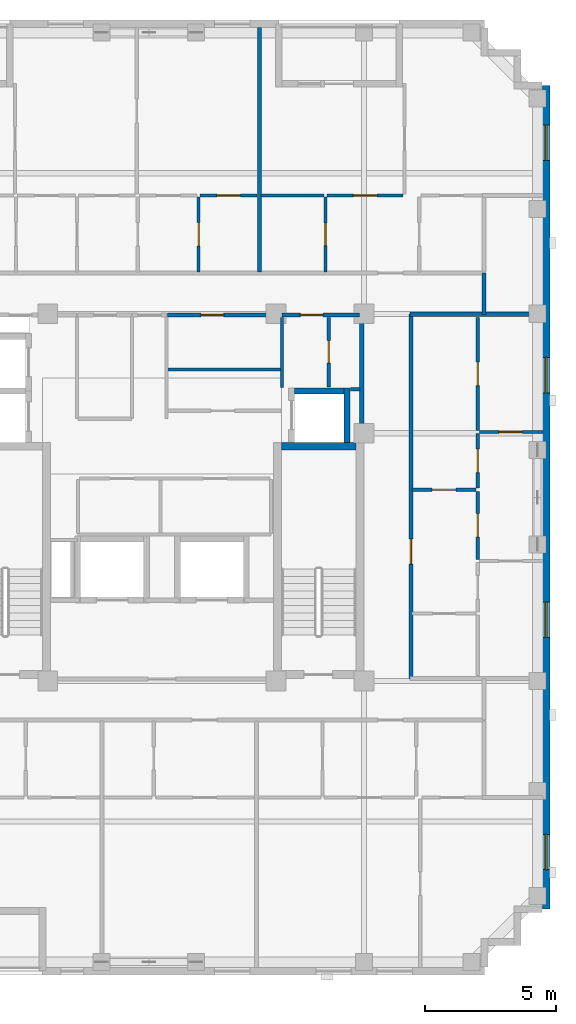
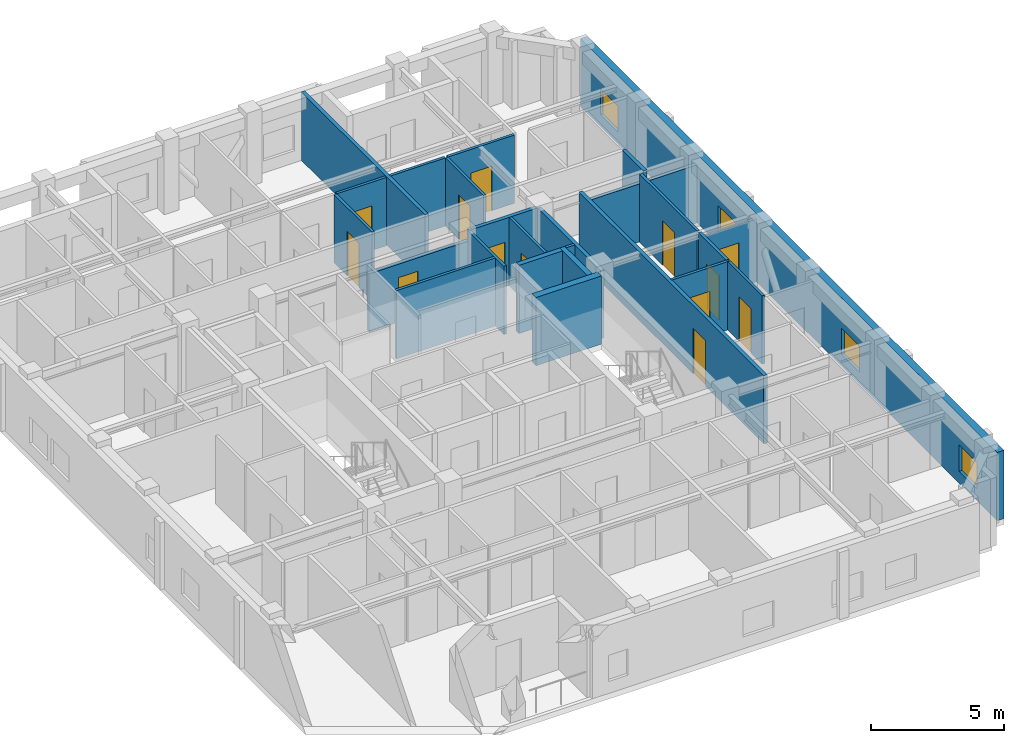
# One storey, part 6 of 11: 25 walls, 13 doors, 4 windows, 17 openings.
"""IFC4 building model written with IfcOpenShell, lengths in metres."""

from ifc_helpers import new_model, si_unit, derived_unit, direction, frame, frame_2d, origin, place, context, subcontext, project, spatial, rectangle, extrude, material, layer, layer_set, type_object, element, fill, save


model = new_model("IFC4")

# Units and contexts
model_context = context("Model", 3, precision=1e-05, world=origin(), true_north=direction((0.0, 1.0)))
body_context = subcontext(model_context, "Body", "Model", "MODEL_VIEW")
ifc_project = project(units=[si_unit("LENGTHUNIT", "METRE"), si_unit("AREAUNIT", "SQUARE_METRE"), si_unit("VOLUMEUNIT", "CUBIC_METRE"), si_unit("PLANEANGLEUNIT", "RADIAN"), si_unit("MASSUNIT", "GRAM", prefix="KILO"), derived_unit("THERMALTRANSMITTANCEUNIT", [(si_unit("MASSUNIT", "GRAM", prefix="KILO"), 1), (si_unit("TIMEUNIT", "SECOND"), -3), (si_unit("THERMODYNAMICTEMPERATUREUNIT", "KELVIN"), -1)])], contexts=[model_context])

# Site, building, storey
site_placement = place(None, origin())
site = spatial("IfcSite", under=ifc_project, at=site_placement, CompositionType="ELEMENT")
building_placement = place(site_placement, origin())
building = spatial("IfcBuilding", under=site, at=building_placement, Name="Korrvale Station Residences", CompositionType="ELEMENT")
storey_placement = place(building_placement, frame((0.0, 0.0, 251.300048828125)))
storey = spatial("IfcBuildingStorey", under=building, at=storey_placement, Name="L73", CompositionType="ELEMENT", Elevation=251.300048828125)

# Wall
ifc_material_1 = material(Name="Concrete C50/60", Category="concrete")
ifc_layer_1 = layer(ifc_material_1, 0.300048828125, Name="Concrete C50/60")
ifc_layer_set_1 = layer_set([ifc_layer_1], Name="Concrete C50/60")
wall_type_1 = type_object("IfcWallType", Name="WAL-CORE-300-C50", PredefinedType="SHEAR", material=ifc_layer_set_1)
wall_1_placement = place(storey_placement, frame((30.050048828125, 23.949951171875, 0.0), z_axis=(0.0, 0.0, 1.0), x_axis=(1.0, 0.0, 0.0)))
element("IfcWall", 1, at=wall_1_placement, inside=storey, type_object=wall_type_1, Name="L73 ST-2 Core Shear Wall North", PredefinedType="SHEAR", context=body_context, shape_type="SweptSolid", body=[
    extrude(rectangle(XDim=2.849853515625, YDim=0.300048828125, at=frame_2d((1.4248046875, 0.0))), origin(), (0.0, 0.0, 1.0), 3.139892578125),
])

# Wall, openings, windows
ifc_material_2 = material(Name="Precast concrete C45/55", Category="concrete")
ifc_layer_2 = layer(ifc_material_2, 0.300048828125, Name="Precast concrete C45/55")
ifc_layer_set_2 = layer_set([ifc_layer_2], Name="Precast concrete C45/55")
wall_type_2 = type_object("IfcWallType", Name="WAL-EXT-PC300", PredefinedType="SOLIDWALL", material=ifc_layer_set_2)
wall_2_placement = place(storey_placement, frame((40.14990234375, 37.699951171875, 0.0), z_axis=(0.0, 0.0, 1.0), x_axis=(0.0, -1.0, 0.0)))
wall_2 = element("IfcWall", 2, at=wall_2_placement, inside=storey, type_object=wall_type_2, Name="L73 East Exterior Precast Wall 1", PredefinedType="SOLIDWALL", context=body_context, shape_type="SweptSolid", body=[
    extrude(rectangle(XDim=31.39990234375, YDim=0.300048828125, at=frame_2d((15.699951171875, 0.0))), origin(), (0.0, 0.0, 1.0), 3.139892578125),
])
opening_1_placement = place(wall_2_placement, frame((28.5458984375, 0.0, 0.550048828125)))
opening_1 = element("IfcOpeningElement", 3, at=opening_1_placement, cuts=wall_2, Name="Opening W-10", PredefinedType="OPENING", context=body_context, shape_type="SweptSolid", body=[
    extrude(rectangle(XDim=1.35009765625, YDim=1.199951171875, at=frame_2d((0.675048828125, 0.60009765625))), frame((0.0, 0.16015625, 0.0), z_axis=(0.0, -1.0, 0.0), x_axis=(1.0, 0.0, 0.0)), (0.0, 0.0, 1.0), 0.320068359375),
])
opening_2_placement = place(wall_2_placement, frame((1.50390625, 0.0, 0.550048828125)))
opening_2 = element("IfcOpeningElement", 4, at=opening_2_placement, cuts=wall_2, Name="Opening W-10", PredefinedType="OPENING", context=body_context, shape_type="SweptSolid", body=[
    extrude(rectangle(XDim=1.35009765625, YDim=1.199951171875, at=frame_2d((0.675048828125, 0.60009765625))), frame((0.0, 0.16015625, 0.0), z_axis=(0.0, -1.0, 0.0), x_axis=(1.0, 0.0, 0.0)), (0.0, 0.0, 1.0), 0.320068359375),
])
opening_3_placement = place(wall_2_placement, frame((19.68310546875, 0.0, 0.550048828125)))
opening_3 = element("IfcOpeningElement", 5, at=opening_3_placement, cuts=wall_2, Name="Opening W-10", PredefinedType="OPENING", context=body_context, shape_type="SweptSolid", body=[
    extrude(rectangle(XDim=1.35009765625, YDim=1.199951171875, at=frame_2d((0.675048828125, 0.60009765625))), frame((0.0, 0.16015625, 0.0), z_axis=(0.0, -1.0, 0.0), x_axis=(1.0, 0.0, 0.0)), (0.0, 0.0, 1.0), 0.320068359375),
])
opening_4_placement = place(wall_2_placement, frame((10.366943359375, 0.0, 0.550048828125)))
opening_4 = element("IfcOpeningElement", 6, at=opening_4_placement, cuts=wall_2, Name="Opening W-10", PredefinedType="OPENING", context=body_context, shape_type="SweptSolid", body=[
    extrude(rectangle(XDim=1.35009765625, YDim=1.199951171875, at=frame_2d((0.675048828125, 0.60009765625))), frame((0.0, 0.16015625, 0.0), z_axis=(0.0, -1.0, 0.0), x_axis=(1.0, 0.0, 0.0)), (0.0, 0.0, 1.0), 0.320068359375),
])
ifc_material_3 = material(Name="Thermally broken aluminium frame with triple low-e glazing", Category="aluminium")
window_type = type_object("IfcWindowType", Name="WIN-W10", PartitioningType="SINGLE_PANEL", PredefinedType="WINDOW", material=ifc_material_3)
window_1_placement = place(opening_1_placement, origin())
window_1 = element("IfcWindow", 7, at=window_1_placement, inside=storey, type_object=window_type, Name="L73 Punched Window 05", OverallHeight=1.199951171875, OverallWidth=1.35009765625, PartitioningType="SINGLE_PANEL", PredefinedType="WINDOW", context=body_context, shape_type="SweptSolid", body=[
    extrude(rectangle(XDim=1.35009765625, YDim=1.199951171875, at=frame_2d((0.675048828125, 0.60009765625))), frame((0.0, 0.030029296875, 0.0), z_axis=(0.0, -1.0, 0.0), x_axis=(1.0, 0.0, 0.0)), (0.0, 0.0, 1.0), 0.06005859375),
])
fill(opening_1, window_1)
window_2_placement = place(opening_2_placement, origin())
window_2 = element("IfcWindow", 8, at=window_2_placement, inside=storey, type_object=window_type, Name="L73 Punched Window 11", OverallHeight=1.199951171875, OverallWidth=1.35009765625, PartitioningType="SINGLE_PANEL", PredefinedType="WINDOW", context=body_context, shape_type="SweptSolid", body=[
    extrude(rectangle(XDim=1.35009765625, YDim=1.199951171875, at=frame_2d((0.675048828125, 0.60009765625))), frame((0.0, 0.030029296875, 0.0), z_axis=(0.0, -1.0, 0.0), x_axis=(1.0, 0.0, 0.0)), (0.0, 0.0, 1.0), 0.06005859375),
])
fill(opening_2, window_2)
window_3_placement = place(opening_3_placement, origin())
window_3 = element("IfcWindow", 9, at=window_3_placement, inside=storey, type_object=window_type, Name="L73 Punched Window 16", OverallHeight=1.199951171875, OverallWidth=1.35009765625, PartitioningType="SINGLE_PANEL", PredefinedType="WINDOW", context=body_context, shape_type="SweptSolid", body=[
    extrude(rectangle(XDim=1.35009765625, YDim=1.199951171875, at=frame_2d((0.675048828125, 0.60009765625))), frame((0.0, 0.030029296875, 0.0), z_axis=(0.0, -1.0, 0.0), x_axis=(1.0, 0.0, 0.0)), (0.0, 0.0, 1.0), 0.06005859375),
])
fill(opening_3, window_3)
window_4_placement = place(opening_4_placement, origin())
window_4 = element("IfcWindow", 10, at=window_4_placement, inside=storey, type_object=window_type, Name="L73 Punched Window 17", OverallHeight=1.199951171875, OverallWidth=1.35009765625, PartitioningType="SINGLE_PANEL", PredefinedType="WINDOW", context=body_context, shape_type="SweptSolid", body=[
    extrude(rectangle(XDim=1.35009765625, YDim=1.199951171875, at=frame_2d((0.675048828125, 0.60009765625))), frame((0.0, 0.030029296875, 0.0), z_axis=(0.0, -1.0, 0.0), x_axis=(1.0, 0.0, 0.0)), (0.0, 0.0, 1.0), 0.06005859375),
])
fill(opening_4, window_4)

# Walls
ifc_material_4 = material(Name="Acoustic steel-stud gypsum board partition", Category="steel")
ifc_layer_3 = layer(ifc_material_4, 0.1201171875, Name="Acoustic steel-stud gypsum board partition")
ifc_layer_set_3 = layer_set([ifc_layer_3], Name="Acoustic steel-stud gypsum board partition")
wall_type_3 = type_object("IfcWallType", Name="WAL-PART-125", PredefinedType="PARTITIONING", material=ifc_layer_set_3)
wall_3_placement = place(storey_placement, frame((30.080078125, 26.179931640625, 0.0), z_axis=(0.0, 0.0, 1.0), x_axis=(0.0, 1.0, 0.0)))
element("IfcWall", 11, at=wall_3_placement, inside=storey, type_object=wall_type_3, Name="L73 Core Partition CW-CS-W", PredefinedType="PARTITIONING", context=body_context, shape_type="SweptSolid", body=[
    extrude(rectangle(XDim=2.68017578125, YDim=0.1201171875, at=frame_2d((1.340087890625, 0.0))), origin(), (0.0, 0.0, 1.0), 3.139892578125),
])
wall_4_placement = place(storey_placement, frame((32.679931640625, 26.1201171875, 0.0), z_axis=(0.0, 0.0, 1.0), x_axis=(1.0, 0.0, 0.0)))
element("IfcWall", 12, at=wall_4_placement, inside=storey, type_object=wall_type_3, Name="L73 Core Partition CW-CS-S", PredefinedType="PARTITIONING", context=body_context, shape_type="SweptSolid", body=[
    extrude(rectangle(XDim=0.380126953125, YDim=0.1201171875, at=frame_2d((0.18994140625, 0.0))), origin(), (0.0, 0.0, 1.0), 3.139892578125),
])

# Wall, opening, door
wall_5_placement = place(storey_placement, frame((31.860107421875, 26.199951171875, 0.0), z_axis=(0.0, 0.0, 1.0), x_axis=(0.0, 1.0, 0.0)))
wall_5 = element("IfcWall", 13, at=wall_5_placement, inside=storey, type_object=wall_type_3, Name="L73 Core Partition CW-CS-MID", PredefinedType="PARTITIONING", context=body_context, shape_type="SweptSolid", body=[
    extrude(rectangle(XDim=2.66015625, YDim=0.1201171875, at=frame_2d((1.330078125, 0.0))), origin(), (0.0, 0.0, 1.0), 3.139892578125),
])
opening_5_placement = place(wall_5_placement, frame((0.919921875, 0.0, 0.0)))
opening_5 = element("IfcOpeningElement", 14, at=opening_5_placement, cuts=wall_5, Name="Opening DB-860", PredefinedType="OPENING", context=body_context, shape_type="SweptSolid", body=[
    extrude(rectangle(XDim=0.860107421875, YDim=2.050048828125, at=frame_2d((0.43017578125, 1.02490234375))), frame((0.0, 0.070068359375, 0.0), z_axis=(0.0, -1.0, 0.0), x_axis=(1.0, 0.0, 0.0)), (0.0, 0.0, 1.0), 0.14013671875),
])
ifc_material_5 = material(Name="Moisture-resistant solid-core bathroom door", Category="timber")
door_type_1 = type_object("IfcDoorType", Name="DR-BATH-860", OperationType="NOTDEFINED", PredefinedType="DOOR", material=ifc_material_5)
door_1_placement = place(opening_5_placement, origin())
door_1 = element("IfcDoor", 15, at=door_1_placement, inside=storey, type_object=door_type_1, Name="L73 Metering Inner Door", OperationType="SINGLE_SWING_RIGHT", OverallHeight=2.050048828125, OverallWidth=0.860107421875, PredefinedType="DOOR", context=body_context, shape_type="SweptSolid", body=[
    extrude(rectangle(XDim=0.860107421875, YDim=2.050048828125, at=frame_2d((0.43017578125, 1.02490234375))), frame((0.0, 0.02490234375, 0.0), z_axis=(0.0, -1.0, 0.0), x_axis=(1.0, 0.0, 0.0)), (0.0, 0.0, 1.0), 0.050048828125),
])
fill(opening_5, door_1)

# Wall
wall_6_placement = place(storey_placement, frame((25.719970703125, 26.8798828125, 0.0), z_axis=(0.0, 0.0, 1.0), x_axis=(1.0, 0.0, 0.0)))
element("IfcWall", 16, at=wall_6_placement, inside=storey, type_object=wall_type_3, Name="L73 Core Partition CW-FPLE-H", PredefinedType="PARTITIONING", context=body_context, shape_type="SweptSolid", body=[
    extrude(rectangle(XDim=4.320068359375, YDim=0.1201171875, at=frame_2d((2.16015625, 0.0))), origin(), (0.0, 0.0, 1.0), 3.139892578125),
])

# Wall, opening, door
wall_7_placement = place(storey_placement, frame((26.89990234375, 30.60009765625, 0.0), z_axis=(0.0, 0.0, 1.0), x_axis=(0.0, 1.0, 0.0)))
wall_7 = element("IfcWall", 17, at=wall_7_placement, inside=storey, type_object=wall_type_3, Name="L73 Suite Partition U04-V45", PredefinedType="PARTITIONING", context=body_context, shape_type="SweptSolid", body=[
    extrude(rectangle(XDim=2.849853515625, YDim=0.1201171875, at=frame_2d((1.4248046875, 0.0))), origin(), (0.0, 0.0, 1.0), 3.139892578125),
])
opening_6_placement = place(wall_7_placement, frame((0.97509765625, 0.0, 0.0)))
opening_6 = element("IfcOpeningElement", 18, at=opening_6_placement, cuts=wall_7, Name="Opening DI-900", PredefinedType="OPENING", context=body_context, shape_type="SweptSolid", body=[
    extrude(rectangle(XDim=0.89990234375, YDim=2.050048828125, at=frame_2d((0.449951171875, 1.02490234375))), frame((0.0, 0.070068359375, 0.0), z_axis=(0.0, -1.0, 0.0), x_axis=(1.0, 0.0, 0.0)), (0.0, 0.0, 1.0), 0.14013671875),
])
ifc_material_6 = material(Name="Painted solid-core timber interior room door", Category="wood")
door_type_2 = type_object("IfcDoorType", Name="DR-INT-900", OperationType="NOTDEFINED", PredefinedType="DOOR", material=ifc_material_6)
door_2_placement = place(opening_6_placement, origin())
door_2 = element("IfcDoor", 19, at=door_2_placement, inside=storey, type_object=door_type_2, Name="L73 Apartment 2BR L73-U04 Wardrobe Storage Room Door", OperationType="SINGLE_SWING_LEFT", OverallHeight=2.050048828125, OverallWidth=0.89990234375, PredefinedType="DOOR", context=body_context, shape_type="SweptSolid", body=[
    extrude(rectangle(XDim=0.89990234375, YDim=2.050048828125, at=frame_2d((0.449951171875, 1.02490234375))), frame((0.0, 0.02490234375, 0.0), z_axis=(0.0, -1.0, 0.0), x_axis=(1.0, 0.0, 0.0)), (0.0, 0.0, 1.0), 0.050048828125),
])
fill(opening_6, door_2)

wall_8_placement = place(storey_placement, frame((26.9599609375, 33.510009765625, 0.0), z_axis=(0.0, 0.0, 1.0), x_axis=(1.0, 0.0, 0.0)))
wall_8 = element("IfcWall", 20, at=wall_8_placement, inside=storey, type_object=wall_type_3, Name="L73 Suite Partition U04-H59", PredefinedType="PARTITIONING", context=body_context, shape_type="SweptSolid", body=[
    extrude(rectangle(XDim=2.16015625, YDim=0.1201171875, at=frame_2d((1.080078125, 0.0))), origin(), (0.0, 0.0, 1.0), 3.139892578125),
])
opening_7_placement = place(wall_8_placement, frame((0.6298828125, 0.0, 0.0)))
opening_7 = element("IfcOpeningElement", 21, at=opening_7_placement, cuts=wall_8, Name="Opening DI-900", PredefinedType="OPENING", context=body_context, shape_type="SweptSolid", body=[
    extrude(rectangle(XDim=0.89990234375, YDim=2.050048828125, at=frame_2d((0.449951171875, 1.02490234375))), frame((0.0, 0.070068359375, 0.0), z_axis=(0.0, -1.0, 0.0), x_axis=(1.0, 0.0, 0.0)), (0.0, 0.0, 1.0), 0.14013671875),
])
door_3_placement = place(opening_7_placement, origin())
door_3 = element("IfcDoor", 22, at=door_3_placement, inside=storey, type_object=door_type_2, Name="L73 Apartment 2BR L73-U04 Utility and Laundry Room Door", OperationType="SINGLE_SWING_LEFT", OverallHeight=2.050048828125, OverallWidth=0.89990234375, PredefinedType="DOOR", context=body_context, shape_type="SweptSolid", body=[
    extrude(rectangle(XDim=0.89990234375, YDim=2.050048828125, at=frame_2d((0.449951171875, 1.02490234375))), frame((0.0, 0.02490234375, 0.0), z_axis=(0.0, -1.0, 0.0), x_axis=(1.0, 0.0, 0.0)), (0.0, 0.0, 1.0), 0.050048828125),
])
fill(opening_7, door_3)

wall_9_placement = place(storey_placement, frame((31.739990234375, 30.60009765625, 0.0), z_axis=(0.0, 0.0, 1.0), x_axis=(0.0, 1.0, 0.0)))
wall_9 = element("IfcWall", 23, at=wall_9_placement, inside=storey, type_object=wall_type_3, Name="L73 Suite Partition U05-V01", PredefinedType="PARTITIONING", context=body_context, shape_type="SweptSolid", body=[
    extrude(rectangle(XDim=2.849853515625, YDim=0.1201171875, at=frame_2d((1.4248046875, 0.0))), origin(), (0.0, 0.0, 1.0), 3.139892578125),
])
opening_8_placement = place(wall_9_placement, frame((0.9951171875, 0.0, 0.0)))
opening_8 = element("IfcOpeningElement", 24, at=opening_8_placement, cuts=wall_9, Name="Opening DB-860", PredefinedType="OPENING", context=body_context, shape_type="SweptSolid", body=[
    extrude(rectangle(XDim=0.860107421875, YDim=2.050048828125, at=frame_2d((0.43017578125, 1.02490234375))), frame((0.0, 0.070068359375, 0.0), z_axis=(0.0, -1.0, 0.0), x_axis=(1.0, 0.0, 0.0)), (0.0, 0.0, 1.0), 0.14013671875),
])
door_4_placement = place(opening_8_placement, origin())
door_4 = element("IfcDoor", 25, at=door_4_placement, inside=storey, type_object=door_type_1, Name="L73 Apartment 1BR L73-U05 Bathroom Door", OperationType="SINGLE_SWING_LEFT", OverallHeight=2.050048828125, OverallWidth=0.860107421875, PredefinedType="DOOR", context=body_context, shape_type="SweptSolid", body=[
    extrude(rectangle(XDim=0.860107421875, YDim=2.050048828125, at=frame_2d((0.43017578125, 1.02490234375))), frame((0.0, 0.02490234375, 0.0), z_axis=(0.0, -1.0, 0.0), x_axis=(1.0, 0.0, 0.0)), (0.0, 0.0, 1.0), 0.050048828125),
])
fill(opening_8, door_4)

# Wall
wall_10_placement = place(storey_placement, frame((29.280029296875, 33.510009765625, 0.0), z_axis=(0.0, 0.0, 1.0), x_axis=(1.0, 0.0, 0.0)))
element("IfcWall", 26, at=wall_10_placement, inside=storey, type_object=wall_type_3, Name="L73 Suite Partition U05-H03", PredefinedType="PARTITIONING", context=body_context, shape_type="SweptSolid", body=[
    extrude(rectangle(XDim=2.39990234375, YDim=0.1201171875, at=frame_2d((1.199951171875, 0.0))), origin(), (0.0, 0.0, 1.0), 3.139892578125),
])

# Wall, opening, door
wall_11_placement = place(storey_placement, frame((31.800048828125, 33.510009765625, 0.0), z_axis=(0.0, 0.0, 1.0), x_axis=(1.0, 0.0, 0.0)))
wall_11 = element("IfcWall", 27, at=wall_11_placement, inside=storey, type_object=wall_type_3, Name="L73 Suite Partition U05-H13", PredefinedType="PARTITIONING", context=body_context, shape_type="SweptSolid", body=[
    extrude(rectangle(XDim=2.889892578125, YDim=0.1201171875, at=frame_2d((1.44482421875, 0.0))), origin(), (0.0, 0.0, 1.0), 3.139892578125),
])
opening_9_placement = place(wall_11_placement, frame((0.9951171875, 0.0, 0.0)))
opening_9 = element("IfcOpeningElement", 28, at=opening_9_placement, cuts=wall_11, Name="Opening DI-900", PredefinedType="OPENING", context=body_context, shape_type="SweptSolid", body=[
    extrude(rectangle(XDim=0.89990234375, YDim=2.050048828125, at=frame_2d((0.449951171875, 1.02490234375))), frame((0.0, 0.070068359375, 0.0), z_axis=(0.0, -1.0, 0.0), x_axis=(1.0, 0.0, 0.0)), (0.0, 0.0, 1.0), 0.14013671875),
])
door_5_placement = place(opening_9_placement, origin())
door_5 = element("IfcDoor", 29, at=door_5_placement, inside=storey, type_object=door_type_2, Name="L73 Apartment 1BR L73-U05 Kitchen Door", OperationType="SINGLE_SWING_LEFT", OverallHeight=2.050048828125, OverallWidth=0.89990234375, PredefinedType="DOOR", context=body_context, shape_type="SweptSolid", body=[
    extrude(rectangle(XDim=0.89990234375, YDim=2.050048828125, at=frame_2d((0.449951171875, 1.02490234375))), frame((0.0, 0.02490234375, 0.0), z_axis=(0.0, -1.0, 0.0), x_axis=(1.0, 0.0, 0.0)), (0.0, 0.0, 1.0), 0.050048828125),
])
fill(opening_9, door_5)

wall_12_placement = place(storey_placement, frame((35.030029296875, 22.2900390625, 0.0), z_axis=(0.0, 0.0, 1.0), x_axis=(1.0, 0.0, 0.0)))
wall_12 = element("IfcWall", 30, at=wall_12_placement, inside=storey, type_object=wall_type_3, Name="L73 Suite Partition U08-H02", PredefinedType="PARTITIONING", context=body_context, shape_type="SweptSolid", body=[
    extrude(rectangle(XDim=2.449951171875, YDim=0.1201171875, at=frame_2d((1.22509765625, 0.0))), origin(), (0.0, 0.0, 1.0), 3.139892578125),
])
opening_10_placement = place(wall_12_placement, frame((0.77490234375, 0.0, 0.0)))
opening_10 = element("IfcOpeningElement", 31, at=opening_10_placement, cuts=wall_12, Name="Opening DI-900", PredefinedType="OPENING", context=body_context, shape_type="SweptSolid", body=[
    extrude(rectangle(XDim=0.89990234375, YDim=2.050048828125, at=frame_2d((0.449951171875, 1.02490234375))), frame((0.0, 0.070068359375, 0.0), z_axis=(0.0, -1.0, 0.0), x_axis=(1.0, 0.0, 0.0)), (0.0, 0.0, 1.0), 0.14013671875),
])
door_6_placement = place(opening_10_placement, origin())
door_6 = element("IfcDoor", 32, at=door_6_placement, inside=storey, type_object=door_type_2, Name="L73 Apartment 2BR L73-U08 Wardrobe Storage Room Door", OperationType="SINGLE_SWING_RIGHT", OverallHeight=2.050048828125, OverallWidth=0.89990234375, PredefinedType="DOOR", context=body_context, shape_type="SweptSolid", body=[
    extrude(rectangle(XDim=0.89990234375, YDim=2.050048828125, at=frame_2d((0.449951171875, 1.02490234375))), frame((0.0, 0.02490234375, 0.0), z_axis=(0.0, -1.0, 0.0), x_axis=(1.0, 0.0, 0.0)), (0.0, 0.0, 1.0), 0.050048828125),
])
fill(opening_10, door_6)

wall_13_placement = place(storey_placement, frame((37.5400390625, 22.35009765625, 0.0), z_axis=(0.0, 0.0, 1.0), x_axis=(0.0, 1.0, 0.0)))
wall_13 = element("IfcWall", 33, at=wall_13_placement, inside=storey, type_object=wall_type_3, Name="L73 Suite Partition U08-V04", PredefinedType="PARTITIONING", context=body_context, shape_type="SweptSolid", body=[
    extrude(rectangle(XDim=2.081787109375, YDim=0.1201171875, at=frame_2d((1.041015625, 0.0))), origin(), (0.0, 0.0, 1.0), 3.139892578125),
])
opening_11_placement = place(wall_13_placement, frame((0.591064453125, 0.0, 0.0)))
opening_11 = element("IfcOpeningElement", 34, at=opening_11_placement, cuts=wall_13, Name="Opening DI-900", PredefinedType="OPENING", context=body_context, shape_type="SweptSolid", body=[
    extrude(rectangle(XDim=0.89990234375, YDim=2.050048828125, at=frame_2d((0.449951171875, 1.02490234375))), frame((0.0, 0.070068359375, 0.0), z_axis=(0.0, -1.0, 0.0), x_axis=(1.0, 0.0, 0.0)), (0.0, 0.0, 1.0), 0.14013671875),
])
door_7_placement = place(opening_11_placement, origin())
door_7 = element("IfcDoor", 35, at=door_7_placement, inside=storey, type_object=door_type_2, Name="L73 Apartment 2BR L73-U08 Wardrobe Storage Room Door", OperationType="SINGLE_SWING_LEFT", OverallHeight=2.050048828125, OverallWidth=0.89990234375, PredefinedType="DOOR", context=body_context, shape_type="SweptSolid", body=[
    extrude(rectangle(XDim=0.89990234375, YDim=2.050048828125, at=frame_2d((0.449951171875, 1.02490234375))), frame((0.0, 0.02490234375, 0.0), z_axis=(0.0, -1.0, 0.0), x_axis=(1.0, 0.0, 0.0)), (0.0, 0.0, 1.0), 0.050048828125),
])
fill(opening_11, door_7)

wall_14_placement = place(storey_placement, frame((37.5400390625, 24.552001953125, 0.0), z_axis=(0.0, 0.0, 1.0), x_axis=(0.0, 1.0, 0.0)))
wall_14 = element("IfcWall", 36, at=wall_14_placement, inside=storey, type_object=wall_type_3, Name="L73 Suite Partition U08-V05", PredefinedType="PARTITIONING", context=body_context, shape_type="SweptSolid", body=[
    extrude(rectangle(XDim=4.30810546875, YDim=0.1201171875, at=frame_2d((2.154052734375, 0.0))), origin(), (0.0, 0.0, 1.0), 3.139892578125),
])
opening_12_placement = place(wall_14_placement, frame((1.7041015625, 0.0, 0.0)))
opening_12 = element("IfcOpeningElement", 37, at=opening_12_placement, cuts=wall_14, Name="Opening DI-900", PredefinedType="OPENING", context=body_context, shape_type="SweptSolid", body=[
    extrude(rectangle(XDim=0.89990234375, YDim=2.050048828125, at=frame_2d((0.449951171875, 1.02490234375))), frame((0.0, 0.070068359375, 0.0), z_axis=(0.0, -1.0, 0.0), x_axis=(1.0, 0.0, 0.0)), (0.0, 0.0, 1.0), 0.14013671875),
])
door_8_placement = place(opening_12_placement, origin())
door_8 = element("IfcDoor", 38, at=door_8_placement, inside=storey, type_object=door_type_2, Name="L73 Apartment 2BR L73-U08 Wardrobe Storage Room Door", OperationType="SINGLE_SWING_RIGHT", OverallHeight=2.050048828125, OverallWidth=0.89990234375, PredefinedType="DOOR", context=body_context, shape_type="SweptSolid", body=[
    extrude(rectangle(XDim=0.89990234375, YDim=2.050048828125, at=frame_2d((0.449951171875, 1.02490234375))), frame((0.0, 0.02490234375, 0.0), z_axis=(0.0, -1.0, 0.0), x_axis=(1.0, 0.0, 0.0)), (0.0, 0.0, 1.0), 0.050048828125),
])
fill(opening_12, door_8)

wall_15_placement = place(storey_placement, frame((37.5400390625, 19.637939453125, 0.0), z_axis=(0.0, 0.0, 1.0), x_axis=(0.0, 1.0, 0.0)))
wall_15 = element("IfcWall", 39, at=wall_15_placement, inside=storey, type_object=wall_type_3, Name="L73 Suite Partition U08-V24", PredefinedType="PARTITIONING", context=body_context, shape_type="SweptSolid", body=[
    extrude(rectangle(XDim=2.592041015625, YDim=0.1201171875, at=frame_2d((1.2958984375, 0.0))), origin(), (0.0, 0.0, 1.0), 3.139892578125),
])
opening_13_placement = place(wall_15_placement, frame((0.845947265625, 0.0, 0.0)))
opening_13 = element("IfcOpeningElement", 40, at=opening_13_placement, cuts=wall_15, Name="Opening DI-900", PredefinedType="OPENING", context=body_context, shape_type="SweptSolid", body=[
    extrude(rectangle(XDim=0.89990234375, YDim=2.050048828125, at=frame_2d((0.449951171875, 1.02490234375))), frame((0.0, 0.070068359375, 0.0), z_axis=(0.0, -1.0, 0.0), x_axis=(1.0, 0.0, 0.0)), (0.0, 0.0, 1.0), 0.14013671875),
])
door_9_placement = place(opening_13_placement, origin())
door_9 = element("IfcDoor", 41, at=door_9_placement, inside=storey, type_object=door_type_2, Name="L73 Apartment 2BR L73-U08 Kitchen Door", OperationType="SINGLE_SWING_LEFT", OverallHeight=2.050048828125, OverallWidth=0.89990234375, PredefinedType="DOOR", context=body_context, shape_type="SweptSolid", body=[
    extrude(rectangle(XDim=0.89990234375, YDim=2.050048828125, at=frame_2d((0.449951171875, 1.02490234375))), frame((0.0, 0.02490234375, 0.0), z_axis=(0.0, -1.0, 0.0), x_axis=(1.0, 0.0, 0.0)), (0.0, 0.0, 1.0), 0.050048828125),
])
fill(opening_13, door_9)

wall_16_placement = place(storey_placement, frame((37.60009765625, 24.491943359375, 0.0), z_axis=(0.0, 0.0, 1.0), x_axis=(1.0, 0.0, 0.0)))
wall_16 = element("IfcWall", 42, at=wall_16_placement, inside=storey, type_object=wall_type_3, Name="L73 Suite Partition U08-H45", PredefinedType="PARTITIONING", context=body_context, shape_type="SweptSolid", body=[
    extrude(rectangle(XDim=2.419921875, YDim=0.1201171875, at=frame_2d((1.2099609375, 0.0))), origin(), (0.0, 0.0, 1.0), 2.8779296875),
])
opening_14_placement = place(wall_16_placement, frame((0.7451171875, 0.0, 0.0)))
opening_14 = element("IfcOpeningElement", 43, at=opening_14_placement, cuts=wall_16, Name="Opening DI-900", PredefinedType="OPENING", context=body_context, shape_type="SweptSolid", body=[
    extrude(rectangle(XDim=0.89990234375, YDim=2.050048828125, at=frame_2d((0.449951171875, 1.02490234375))), frame((0.0, 0.070068359375, 0.0), z_axis=(0.0, -1.0, 0.0), x_axis=(1.0, 0.0, 0.0)), (0.0, 0.0, 1.0), 0.14013671875),
])
door_10_placement = place(opening_14_placement, origin())
door_10 = element("IfcDoor", 44, at=door_10_placement, inside=storey, type_object=door_type_2, Name="L73 Apartment 2BR L73-U08 Living and Dining Room Door", OperationType="SINGLE_SWING_LEFT", OverallHeight=2.050048828125, OverallWidth=0.89990234375, PredefinedType="DOOR", context=body_context, shape_type="SweptSolid", body=[
    extrude(rectangle(XDim=0.89990234375, YDim=2.050048828125, at=frame_2d((0.449951171875, 1.02490234375))), frame((0.0, 0.02490234375, 0.0), z_axis=(0.0, -1.0, 0.0), x_axis=(1.0, 0.0, 0.0)), (0.0, 0.0, 1.0), 0.050048828125),
])
fill(opening_14, door_10)

# Wall
ifc_material_7 = material(Name="Fire-rated twin-stud gypsum and mineral wool shaftwall assembly", Category="gypsum")
ifc_layer_4 = layer(ifc_material_7, 0.159912109375, Name="Fire-rated twin-stud gypsum and mineral wool shaftwall assembly")
ifc_layer_set_4 = layer_set([ifc_layer_4], Name="Fire-rated twin-stud gypsum and mineral wool shaftwall assembly")
wall_type_4 = type_object("IfcWallType", Name="WAL-PART-200", PredefinedType="PARTITIONING", material=ifc_layer_set_4)
wall_17_placement = place(storey_placement, frame((33.1201171875, 24.1201171875, 0.0), z_axis=(0.0, 0.0, 1.0), x_axis=(0.0, 1.0, 0.0)))
element("IfcWall", 45, at=wall_17_placement, inside=storey, type_object=wall_type_4, Name="L73 Core Partition CW-E-N", PredefinedType="PARTITIONING", context=body_context, shape_type="SweptSolid", body=[
    extrude(rectangle(XDim=4.759765625, YDim=0.159912109375, at=frame_2d((2.3798828125, 0.0))), origin(), (0.0, 0.0, 1.0), 3.139892578125),
])

# Wall, opening, door
wall_18_placement = place(storey_placement, frame((30.080078125, 28.949951171875, 0.0), z_axis=(0.0, 0.0, 1.0), x_axis=(1.0, 0.0, 0.0)))
wall_18 = element("IfcWall", 46, at=wall_18_placement, inside=storey, type_object=wall_type_4, Name="L73 Core Partition CW-CS-N", PredefinedType="PARTITIONING", context=body_context, shape_type="SweptSolid", body=[
    extrude(rectangle(XDim=2.9599609375, YDim=0.159912109375, at=frame_2d((1.47998046875, 0.0))), origin(), (0.0, 0.0, 1.0), 3.139892578125),
])
opening_15_placement = place(wall_18_placement, frame((0.695068359375, 0.0, 0.0)))
opening_15 = element("IfcOpeningElement", 47, at=opening_15_placement, cuts=wall_18, Name="Opening DB-860", PredefinedType="OPENING", context=body_context, shape_type="SweptSolid", body=[
    extrude(rectangle(XDim=0.860107421875, YDim=2.050048828125, at=frame_2d((0.43017578125, 1.02490234375))), frame((0.0, 0.08984375, 0.0), z_axis=(0.0, -1.0, 0.0), x_axis=(1.0, 0.0, 0.0)), (0.0, 0.0, 1.0), 0.179931640625),
])
door_11_placement = place(opening_15_placement, origin())
door_11 = element("IfcDoor", 48, at=door_11_placement, inside=storey, type_object=door_type_1, Name="L73 Housekeeping Supply Door", OperationType="SINGLE_SWING_LEFT", OverallHeight=2.050048828125, OverallWidth=0.860107421875, PredefinedType="DOOR", context=body_context, shape_type="SweptSolid", body=[
    extrude(rectangle(XDim=0.860107421875, YDim=2.050048828125, at=frame_2d((0.43017578125, 1.02490234375))), frame((0.0, 0.02490234375, 0.0), z_axis=(0.0, -1.0, 0.0), x_axis=(1.0, 0.0, 0.0)), (0.0, 0.0, 1.0), 0.050048828125),
])
fill(opening_15, door_11)

wall_19_placement = place(storey_placement, frame((25.719970703125, 28.949951171875, 0.0), z_axis=(0.0, 0.0, 1.0), x_axis=(1.0, 0.0, 0.0)))
wall_19 = element("IfcWall", 49, at=wall_19_placement, inside=storey, type_object=wall_type_4, Name="L73 Core Partition CW-FPLE-N", PredefinedType="PARTITIONING", context=body_context, shape_type="SweptSolid", body=[
    extrude(rectangle(XDim=4.320068359375, YDim=0.159912109375, at=frame_2d((2.16015625, 0.0))), origin(), (0.0, 0.0, 1.0), 2.66796875),
])
opening_16_placement = place(wall_19_placement, frame((1.27001953125, 0.0, 0.0)))
opening_16 = element("IfcOpeningElement", 50, at=opening_16_placement, cuts=wall_19, Name="Opening DB-860", PredefinedType="OPENING", context=body_context, shape_type="SweptSolid", body=[
    extrude(rectangle(XDim=0.860107421875, YDim=2.050048828125, at=frame_2d((0.43017578125, 1.02490234375))), frame((0.0, 0.08984375, 0.0), z_axis=(0.0, -1.0, 0.0), x_axis=(1.0, 0.0, 0.0)), (0.0, 0.0, 1.0), 0.179931640625),
])
door_12_placement = place(opening_16_placement, origin())
door_12 = element("IfcDoor", 51, at=door_12_placement, inside=storey, type_object=door_type_1, Name="L73 Luggage Store Door", OperationType="SINGLE_SWING_RIGHT", OverallHeight=2.050048828125, OverallWidth=0.860107421875, PredefinedType="DOOR", context=body_context, shape_type="SweptSolid", body=[
    extrude(rectangle(XDim=0.860107421875, YDim=2.050048828125, at=frame_2d((0.43017578125, 1.02490234375))), frame((0.0, 0.02490234375, 0.0), z_axis=(0.0, -1.0, 0.0), x_axis=(1.0, 0.0, 0.0)), (0.0, 0.0, 1.0), 0.050048828125),
])
fill(opening_16, door_12)

# Walls
wall_20_placement = place(storey_placement, frame((37.780029296875, 28.97998046875, 0.0), z_axis=(0.0, 0.0, 1.0), x_axis=(0.0, 1.0, 0.0)))
element("IfcWall", 52, at=wall_20_placement, inside=storey, type_object=wall_type_4, Name="L73 Corridor North East Cap", PredefinedType="PARTITIONING", context=body_context, shape_type="SweptSolid", body=[
    extrude(rectangle(XDim=1.580078125, YDim=0.159912109375, at=frame_2d((0.7900390625, 0.0))), origin(), (0.0, 0.0, 1.0), 3.139892578125),
])
wall_21_placement = place(storey_placement, frame((34.949951171875, 28.97998046875, 0.0), z_axis=(0.0, 0.0, 1.0), x_axis=(1.0, 0.0, 0.0)))
element("IfcWall", 53, at=wall_21_placement, inside=storey, type_object=wall_type_4, Name="L73 East Wing North Corridor Wall", PredefinedType="PARTITIONING", context=body_context, shape_type="SweptSolid", body=[
    extrude(rectangle(XDim=5.070068359375, YDim=0.159912109375, at=frame_2d((2.53515625, 0.0))), origin(), (0.0, 0.0, 1.0), 2.66796875),
])
wall_22_placement = place(storey_placement, frame((29.219970703125, 30.60009765625, 0.0), z_axis=(0.0, 0.0, 1.0), x_axis=(0.0, 1.0, 0.0)))
element("IfcWall", 54, at=wall_22_placement, inside=storey, type_object=wall_type_4, Name="L73 Demising Wall U05-W", PredefinedType="PARTITIONING", context=body_context, shape_type="SweptSolid", body=[
    extrude(rectangle(XDim=9.31982421875, YDim=0.159912109375, at=frame_2d((4.659912109375, 0.0))), origin(), (0.0, 0.0, 1.0), 3.139892578125),
])

# Wall, opening, door
wall_23_placement = place(storey_placement, frame((34.989990234375, 15.070068359375, 0.0), z_axis=(0.0, 0.0, 1.0), x_axis=(0.0, 1.0, 0.0)))
wall_23 = element("IfcWall", 55, at=wall_23_placement, inside=storey, type_object=wall_type_4, Name="L73 Rated Corridor Wall E", PredefinedType="PARTITIONING", context=body_context, shape_type="SweptSolid", body=[
    extrude(rectangle(XDim=13.929931640625, YDim=0.159912109375, at=frame_2d((6.96484375, 0.0))), origin(), (0.0, 0.0, 1.0), 3.139892578125),
])
opening_17_placement = place(wall_23_placement, frame((4.385009765625, 0.0, 0.0)))
opening_17 = element("IfcOpeningElement", 56, at=opening_17_placement, cuts=wall_23, Name="Opening UD-950", PredefinedType="OPENING", context=body_context, shape_type="SweptSolid", body=[
    extrude(rectangle(XDim=0.949951171875, YDim=2.10009765625, at=frame_2d((0.47509765625, 1.050048828125))), frame((0.0, 0.08984375, 0.0), z_axis=(0.0, -1.0, 0.0), x_axis=(1.0, 0.0, 0.0)), (0.0, 0.0, 1.0), 0.179931640625),
])
ifc_material_8 = material(Name="Solid-core acoustic oak apartment entrance door", Category="timber")
door_type_3 = type_object("IfcDoorType", Name="DR-UNIT-950", OperationType="NOTDEFINED", PredefinedType="DOOR", material=ifc_material_8)
door_13_placement = place(opening_17_placement, origin())
door_13 = element("IfcDoor", 57, at=door_13_placement, inside=storey, type_object=door_type_3, Name="L73 Apartment L73-U08 Entrance Door", OperationType="SINGLE_SWING_LEFT", OverallHeight=2.10009765625, OverallWidth=0.949951171875, PredefinedType="DOOR", context=body_context, shape_type="SweptSolid", body=[
    extrude(rectangle(XDim=0.949951171875, YDim=2.10009765625, at=frame_2d((0.47509765625, 1.050048828125))), frame((0.0, 0.02490234375, 0.0), z_axis=(0.0, -1.0, 0.0), x_axis=(1.0, 0.0, 0.0)), (0.0, 0.0, 1.0), 0.050048828125),
])
fill(opening_17, door_13)

# Walls
ifc_layer_5 = layer(ifc_material_1, 0.219970703125, Name="Concrete C50/60")
ifc_layer_set_5 = layer_set([ifc_layer_5], Name="Concrete C50/60")
wall_type_5 = type_object("IfcWallType", Name="WAL-SHAFT-220-C50", PredefinedType="SHEAR", material=ifc_layer_set_5)
wall_24_placement = place(storey_placement, frame((30.550048828125, 26.06005859375, 0.0), z_axis=(0.0, 0.0, 1.0), x_axis=(1.0, 0.0, 0.0)))
element("IfcWall", 58, at=wall_24_placement, inside=storey, type_object=wall_type_5, Name="L73 Elevator PH-3 Hoistway Wall North", PredefinedType="SHEAR", context=body_context, shape_type="SweptSolid", body=[
    extrude(rectangle(XDim=1.89990234375, YDim=0.219970703125, at=frame_2d((0.949951171875, 0.0))), origin(), (0.0, 0.0, 1.0), 3.139892578125),
])
wall_25_placement = place(storey_placement, frame((32.56005859375, 24.10009765625, 0.0), z_axis=(0.0, 0.0, 1.0), x_axis=(0.0, 1.0, 0.0)))
element("IfcWall", 59, at=wall_25_placement, inside=storey, type_object=wall_type_5, Name="L73 Elevator PH-3 Hoistway Wall East", PredefinedType="SHEAR", context=body_context, shape_type="SweptSolid", body=[
    extrude(rectangle(XDim=2.06982421875, YDim=0.219970703125, at=frame_2d((1.034912109375, 0.0))), origin(), (0.0, 0.0, 1.0), 3.139892578125),
])

save(model, "model.ifc")
